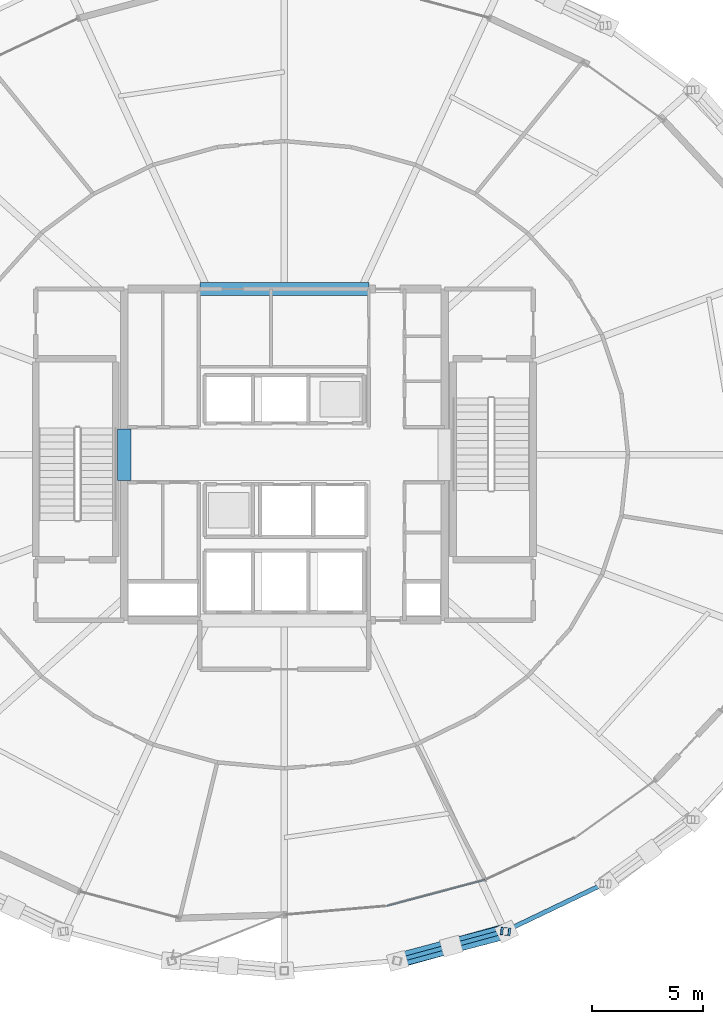
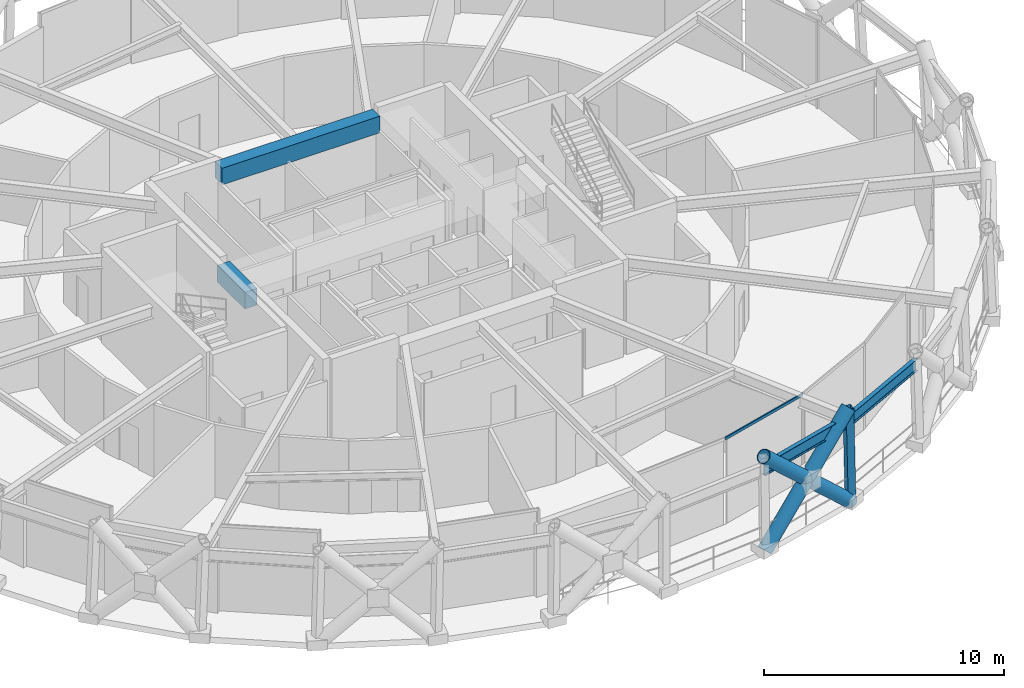
# One storey, part 9 of 29: 5 members, 4 beams, 1 element without a shape of its own.
"""IFC4 building model written with IfcOpenShell, lengths in metres."""

from ifc_helpers import new_model, si_unit, direction, frame, origin, origin_2d, place, context, subcontext, project, spatial, rectangle, hollow_rectangle, hollow_circle, i_section, extrude, material, layer, layer_set, material_profile, profile_set, type_object, element, aggregate, save


model = new_model("IFC4")

# Units and contexts
model_context = context("Model", 3, precision=1e-05, world=origin(), true_north=direction((0.0, 1.0)))
body_context = subcontext(model_context, "Body", "Model", "MODEL_VIEW")
ifc_project = project(units=[si_unit("LENGTHUNIT", "METRE"), si_unit("AREAUNIT", "SQUARE_METRE"), si_unit("VOLUMEUNIT", "CUBIC_METRE"), si_unit("PLANEANGLEUNIT", "RADIAN"), si_unit("MASSUNIT", "GRAM", prefix="KILO")], contexts=[model_context])

# Site, building, storey
site_placement = place(None, origin())
site = spatial("IfcSite", under=ifc_project, at=site_placement, CompositionType="ELEMENT")
building_placement = place(site_placement, origin())
building = spatial("IfcBuilding", under=site, at=building_placement, Name="Veldorina Hangang Commons", CompositionType="ELEMENT")
storey_placement = place(building_placement, frame((0.0, 0.0, 203.60009765625)))
storey = spatial("IfcBuildingStorey", under=building, at=storey_placement, Name="L53", CompositionType="ELEMENT", Elevation=203.60009765625)

# Beams
ifc_material_1 = material(Name="Concrete C60/75", Category="concrete")
ifc_material_profile_1 = material_profile(ifc_material_1, rectangle(XDim=0.60009765625, YDim=0.85009765625, at=origin_2d()), Name="RC-CB-600x850")
ifc_profile_set_1 = profile_set([ifc_material_profile_1], Name="Concrete C60/75")
beam_type_1 = type_object("IfcBeamType", Name="BM-CB850", PredefinedType="LINTEL", material=ifc_profile_set_1)
beam_1_placement = place(storey_placement, frame((24.800048828125, 22.85009765625, 4.014892578125), z_axis=(0.0, 1.0, 0.0), x_axis=(-1.0, 0.0, 0.0)))
element("IfcBeam", 1, at=beam_1_placement, inside=storey, type_object=beam_type_1, Name="L53 W core coupling lintel beam", PredefinedType="LINTEL", context=body_context, shape_type="SweptSolid", body=[
    extrude(rectangle(XDim=0.60009765625, YDim=0.85009765625, at=origin_2d()), origin(), (0.0, 0.0, 1.0), 2.2998046875),
])
beam_2_placement = place(storey_placement, frame((28.199951171875, 31.449951171875, 4.014892578125), z_axis=(1.0, 0.0, 0.0), x_axis=(0.0, 1.0, 0.0)))
element("IfcBeam", 2, at=beam_2_placement, inside=storey, type_object=beam_type_1, Name="L53 north core coupling beam", PredefinedType="LINTEL", context=body_context, shape_type="SweptSolid", body=[
    extrude(rectangle(XDim=0.60009765625, YDim=0.85009765625, at=origin_2d()), origin(), (0.0, 0.0, 1.0), 7.60009765625),
])
ifc_material_2 = material(Name="Steel SM420-TMC", Category="steel")
ifc_material_profile_2 = material_profile(ifc_material_2, i_section(OverallWidth=0.199951171875, OverallDepth=0.60009765625, WebThickness=0.010986328125, FlangeThickness=0.01708984375, FilletRadius=0.01806640625, at=origin_2d()), Name="H-600x200x11x17")
ifc_profile_set_2 = profile_set([ifc_material_profile_2], Name="Steel SM420-TMC")
beam_type_2 = type_object("IfcBeamType", Name="BM-RB600", PredefinedType="BEAM", material=ifc_profile_set_2)
beam_3_placement = place(storey_placement, frame((37.0498046875, 1.253173828125, 4.139892578125), z_axis=(0.964988520479, 0.262292118342, 0.0), x_axis=(-0.262292118342, 0.964988520479, 0.0)))
element("IfcBeam", 3, at=beam_3_placement, inside=storey, type_object=beam_type_2, Name="L53 perimeter hoop ring beam 25", PredefinedType="BEAM", context=body_context, shape_type="SweptSolid", body=[
    extrude(i_section(OverallWidth=0.199951171875, OverallDepth=0.60009765625, WebThickness=0.010986328125, FlangeThickness=0.01708984375, FilletRadius=0.01806640625, at=origin_2d()), origin(), (0.0, 0.0, 1.0), 5.031982421875),
])
beam_4_placement = place(storey_placement, frame((41.905517578125, 2.572998046875, 4.139892578125), z_axis=(0.901914275, 0.431915084885, 0.0), x_axis=(-0.431915084885, 0.901914275, 0.0)))
element("IfcBeam", 4, at=beam_4_placement, inside=storey, type_object=beam_type_2, Name="L53 perimeter hoop ring beam 26", PredefinedType="BEAM", context=body_context, shape_type="SweptSolid", body=[
    extrude(i_section(OverallWidth=0.199951171875, OverallDepth=0.60009765625, WebThickness=0.010986328125, FlangeThickness=0.01708984375, FilletRadius=0.01806640625, at=origin_2d()), origin(), (0.0, 0.0, 1.0), 4.961669921875),
])

# Curtain wall, member
ifc_material_3 = material(Name="Glass Acoustic Laminated", Category="glass")
ifc_layer = layer(ifc_material_3, 0.179931640625)
ifc_layer_set = layer_set([ifc_layer], Name="Glass Acoustic Laminated")
curtain_wall_type = type_object("IfcCurtainWallType", Name="CW-SYS-SKY", PredefinedType="NOTDEFINED", material=ifc_layer_set)
curtain_wall_placement = place(storey_placement, origin())
curtain_wall = element("IfcCurtainWall", 5, at=curtain_wall_placement, inside=storey, type_object=curtain_wall_type, Name="L53 unitised curtain wall CW-L53-R11", PredefinedType="NOTDEFINED")
ifc_material_4 = material(Name="Aluminium Anodized AA6063-T6", Category="aluminium")
ifc_material_profile_3 = material_profile(ifc_material_4, hollow_rectangle(XDim=0.06005859375, YDim=0.139892578125, WallThickness=0.00341796875, at=origin_2d()), Name="ALU-RHS-140x60x3.5")
ifc_profile_set_3 = profile_set([ifc_material_profile_3], Name="Aluminium Anodized AA6063-T6")
member_type_1 = type_object("IfcMemberType", Name="CW-TRN-140", PredefinedType="USERDEFINED", material=ifc_profile_set_3)
member_1_placement = place(storey_placement, frame((36.601318359375, 3.71435546875, 4.35986328125), z_axis=(0.966391414193, 0.257075153552, 0.0), x_axis=(-0.257075153552, 0.966391414193, 0.0)))
member_1 = element("IfcMember", 6, at=member_1_placement, type_object=member_type_1, Name="CW-L53-R11 facet 2 transom 1", ObjectType="TRANSOM", PredefinedType="USERDEFINED", context=body_context, shape_type="SweptSolid", body=[
    extrude(hollow_rectangle(XDim=0.06005859375, YDim=0.139892578125, WallThickness=0.00341796875, at=origin_2d()), origin(), (0.0, 0.0, 1.0), 4.578369140625),
])
aggregate(curtain_wall, [member_1])

# Members
ifc_material_5 = material(Name="Steel SM460-TMC", Category="steel")
ifc_material_profile_4 = material_profile(ifc_material_5, hollow_circle(Radius=0.324951171875, WallThickness=0.031982421875, at=origin_2d()), Name="CHS-650x32")
ifc_profile_set_4 = profile_set([ifc_material_profile_4], Name="Steel SM460-TMC")
member_type_2 = type_object("IfcMemberType", Name="DG-CHS650", PredefinedType="BRACE", material=ifc_profile_set_4)
member_2_placement = place(storey_placement, frame((37.093017578125, 1.242919921875, 0.0), z_axis=(0.693827643585, 0.192508316025, 0.693933533747), x_axis=(-0.26735815624, 0.963597227213, 0.0)))
element("IfcMember", 7, at=member_2_placement, inside=storey, type_object=member_type_2, Name="L53 continuous perimeter diagrid brace 25", PredefinedType="BRACE", context=body_context, shape_type="SweptSolid", body=[
    extrude(hollow_circle(Radius=0.324951171875, WallThickness=0.031982421875, at=origin_2d()), origin(), (0.0, 0.0, 1.0), 6.916748046875),
])
member_3_placement = place(storey_placement, frame((41.990478515625, 2.563232421875, 0.0), z_axis=(-0.705604421629, -0.184886923358, 0.684060834831), x_axis=(0.253469422015, -0.967343399266, 0.0)))
element("IfcMember", 8, at=member_3_placement, inside=storey, type_object=member_type_2, Name="L53 split perimeter diagrid lower brace 26", PredefinedType="BRACE", context=body_context, shape_type="SweptSolid", body=[
    extrude(hollow_circle(Radius=0.324951171875, WallThickness=0.031982421875, at=origin_2d()), origin(), (0.0, 0.0, 1.0), 3.5244140625),
])
member_4_placement = place(storey_placement, frame((39.503662109375, 1.91162109375, 2.410888671875), z_axis=(-0.704680547342, -0.188143203978, 0.684125325503), x_axis=(0.257954987036, -0.966156935836, 0.0)))
element("IfcMember", 9, at=member_4_placement, inside=storey, type_object=member_type_2, Name="L53 split perimeter diagrid upper brace 26", PredefinedType="BRACE", context=body_context, shape_type="SweptSolid", body=[
    extrude(hollow_circle(Radius=0.324951171875, WallThickness=0.031982421875, at=origin_2d()), origin(), (0.0, 0.0, 1.0), 3.491943359375),
])
ifc_material_6 = material(Name="Steel SM355-TMC", Category="steel")
ifc_material_profile_5 = material_profile(ifc_material_6, hollow_rectangle(XDim=0.35009765625, YDim=0.35009765625, WallThickness=0.01611328125, at=origin_2d()), Name="SHS-350x350x16")
ifc_profile_set_5 = profile_set([ifc_material_profile_5], Name="Steel SM355-TMC")
member_type_3 = type_object("IfcMemberType", Name="STR-SHS350", PredefinedType="STRUT", material=ifc_profile_set_5)
member_5_placement = place(storey_placement, frame((41.990478515625, 2.563232421875, 0.0), z_axis=(-0.020494112741, 0.002339278377, 0.999787236926), x_axis=(-0.11340752746, -0.993548555792, 0.0)))
element("IfcMember", 10, at=member_5_placement, inside=storey, type_object=member_type_3, Name="L53 perimeter ring node post 26", PredefinedType="STRUT", context=body_context, shape_type="SweptSolid", body=[
    extrude(hollow_rectangle(XDim=0.35009765625, YDim=0.35009765625, WallThickness=0.01611328125, at=origin_2d()), origin(), (0.0, 0.0, 1.0), 4.80078125),
])

save(model, "model.ifc")
